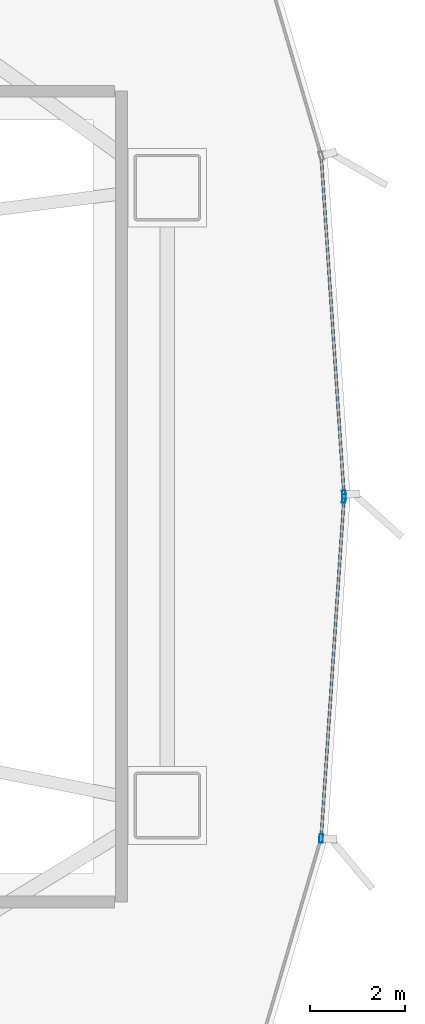
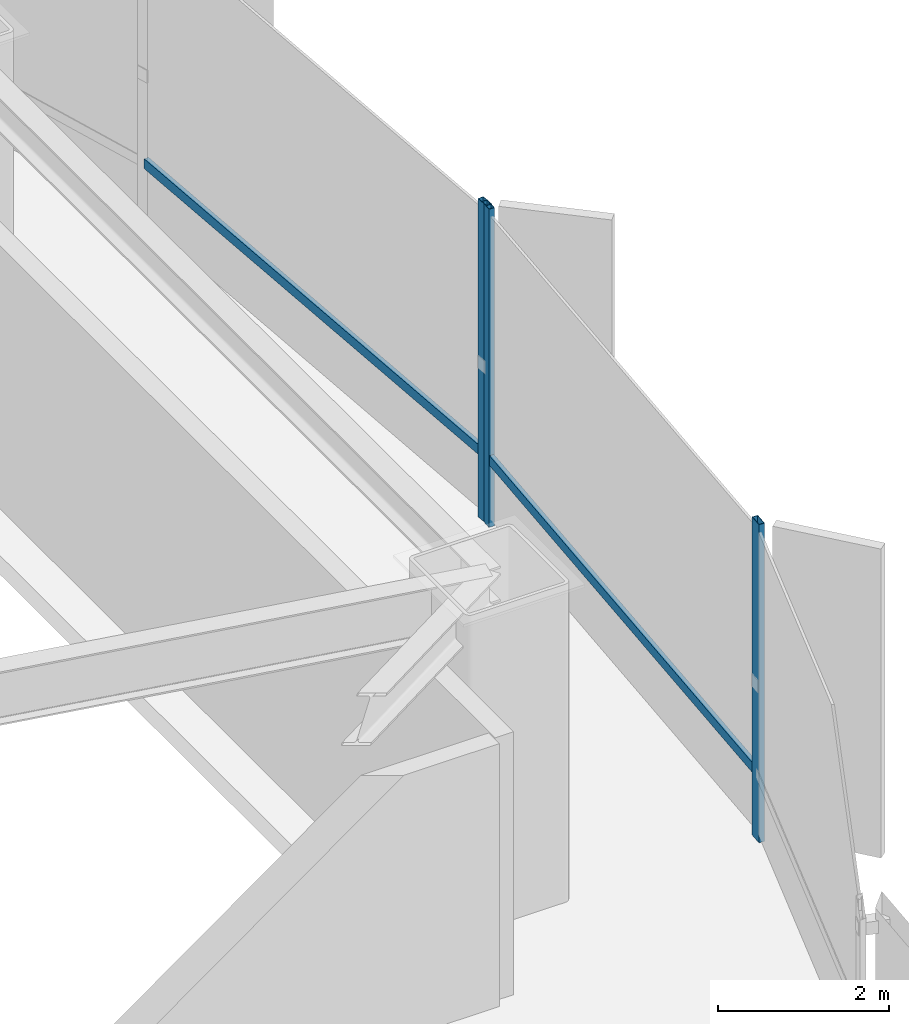
# One storey, part 19 of 34: 5 members, 2 elements without a shape of their own.
"""IFC4 building model written with IfcOpenShell, lengths in metres."""

from ifc_helpers import new_model, si_unit, direction, frame, origin, origin_2d, place, context, subcontext, project, spatial, hollow_rectangle, extrude, source, transform, mapped, material, layer, layer_set, material_profile, profile_set, type_object, element, aggregate, save


model = new_model("IFC4")

# Units and contexts
model_context = context("Model", 3, precision=1e-05, world=origin(), true_north=direction((0.0, 1.0)))
body_context = subcontext(model_context, "Body", "Model", "MODEL_VIEW")
ifc_project = project(units=[si_unit("LENGTHUNIT", "METRE"), si_unit("AREAUNIT", "SQUARE_METRE"), si_unit("VOLUMEUNIT", "CUBIC_METRE"), si_unit("PLANEANGLEUNIT", "RADIAN"), si_unit("MASSUNIT", "GRAM", prefix="KILO"), si_unit("THERMODYNAMICTEMPERATUREUNIT", "KELVIN")], contexts=[model_context])

# Site, building, storey
site_placement = place(None, origin())
site = spatial("IfcSite", under=ifc_project, at=site_placement, CompositionType="ELEMENT")
building_placement = place(site_placement, origin())
building = spatial("IfcBuilding", under=site, at=building_placement, Name="Kethvar Cultural Tower", CompositionType="ELEMENT")
storey_placement = place(building_placement, frame((0.0, 0.0, 14.800048828125)))
storey = spatial("IfcBuildingStorey", under=building, at=storey_placement, Name="L03", CompositionType="ELEMENT", Elevation=14.800048828125)

# Curtain wall, member
ifc_material = material(Name="Aluminium 6063-T6", Category="aluminium")
ifc_layer = layer(ifc_material, 0.179931640625, Name="Aluminium 6063-T6", Category="aluminium")
ifc_layer_set = layer_set([ifc_layer], Name="Aluminium 6063-T6 (180 mm)")
curtain_wall_type = type_object("IfcCurtainWallType", Name="CW-SYS-01-POD", PredefinedType="NOTDEFINED", material=ifc_layer_set)
curtain_wall_1_placement = place(storey_placement, origin())
curtain_wall_1 = element("IfcCurtainWall", 1, at=curtain_wall_1_placement, inside=storey, type_object=curtain_wall_type, Name="L03 Curtain Wall Run 01", PredefinedType="NOTDEFINED")
ifc_material_profile_1 = material_profile(ifc_material, hollow_rectangle(XDim=0.06005859375, YDim=0.139892578125, WallThickness=0.0048828125, at=origin_2d()), Name="Aluminium 6063-T6 — RHS140x60x5")
ifc_profile_set_1 = profile_set([ifc_material_profile_1], Name="Aluminium 6063-T6 — RHS140x60x5")
member_type_1 = type_object("IfcMemberType", Name="CW-SYS-01-POD-TRN", PredefinedType="USERDEFINED", material=ifc_profile_set_1)
shared_shape_1 = source(origin(), body_context, "Body", "SweptSolid", [
    extrude(hollow_rectangle(XDim=0.06005859375, YDim=0.139892578125, WallThickness=0.0048828125, at=origin_2d()), origin(), (0.0, 0.0, 1.0), 7.086669921875),
])
member_1_placement = place(storey_placement, frame((83.066650390625, 27.84521484375, 0.949951171875), z_axis=(-0.067040329347, 0.99775026647, 0.0), x_axis=(-0.99775026647, -0.067040329347, 0.0)))
member_1 = element("IfcMember", 2, at=member_1_placement, type_object=member_type_1, Name="CW-L03-R01 Transom 1", ObjectType="TRANSOM", PredefinedType="USERDEFINED", context=body_context, shape_type="MappedRepresentation", body=[
    mapped(shared_shape_1, transform((0.0, 0.0, 0.0), scale=1.0)),
])

curtain_wall_2_placement = place(storey_placement, origin())
curtain_wall_2 = element("IfcCurtainWall", 3, at=curtain_wall_2_placement, inside=storey, type_object=curtain_wall_type, Name="L03 Curtain Wall Run 06", PredefinedType="NOTDEFINED")
member_2_placement = place(storey_placement, frame((82.591552734375, 20.68408203125, 0.949951171875), z_axis=(0.067040329347, 0.99775026647, 0.0), x_axis=(-0.99775026647, 0.067040329347, 0.0)))
member_2 = element("IfcMember", 4, at=member_2_placement, type_object=member_type_1, Name="CW-L03-R06 Transom 4", ObjectType="TRANSOM", PredefinedType="USERDEFINED", context=body_context, shape_type="MappedRepresentation", body=[
    mapped(shared_shape_1, transform((0.0, 0.0, 0.0), scale=1.0)),
])

# Member
ifc_material_profile_2 = material_profile(ifc_material, hollow_rectangle(XDim=0.074951171875, YDim=0.179931640625, WallThickness=0.006103515625, at=origin_2d()), Name="Aluminium 6063-T6 — RHS180x75x6")
ifc_profile_set_2 = profile_set([ifc_material_profile_2], Name="Aluminium 6063-T6 — RHS180x75x6")
member_type_2 = type_object("IfcMemberType", Name="CW-SYS-01-POD-MUL", PredefinedType="MULLION", material=ifc_profile_set_2)
shared_shape_2 = source(origin(), body_context, "Body", "SweptSolid", [
    extrude(hollow_rectangle(XDim=0.074951171875, YDim=0.179931640625, WallThickness=0.006103515625, at=origin_2d()), origin(), (0.0, 0.0, 1.0), 4.530029296875),
])
member_3_placement = place(storey_placement, frame((83.06689453125, 27.83984375, 0.0), z_axis=(0.0, 0.0, 1.0), x_axis=(-0.997750279374, -0.067040137302, 0.0)))
member_3 = element("IfcMember", 5, at=member_3_placement, type_object=member_type_2, Name="CW-L03-R01 Mullion 1", PredefinedType="MULLION", context=body_context, shape_type="MappedRepresentation", body=[
    mapped(shared_shape_2, transform((0.0, 0.0, 0.0), scale=1.0)),
])

aggregate(curtain_wall_1, [member_3, member_1])

member_4_placement = place(storey_placement, frame((82.587890625, 20.630126953125, 0.0), z_axis=(0.0, 0.0, 1.0), x_axis=(-0.997750279374, 0.067040137302, 0.0)))
member_4 = element("IfcMember", 6, at=member_4_placement, type_object=member_type_2, Name="CW-L03-R06 Mullion 4", PredefinedType="MULLION", context=body_context, shape_type="MappedRepresentation", body=[
    mapped(shared_shape_2, transform((0.0, 0.0, 0.0), scale=1.0)),
])

member_5_placement = place(storey_placement, frame((83.06689453125, 27.760009765625, 0.0), z_axis=(0.0, 0.0, 1.0), x_axis=(-0.997750279374, 0.067040137302, 0.0)))
member_5 = element("IfcMember", 7, at=member_5_placement, type_object=member_type_2, Name="CW-L03-R06 Mullion 5", PredefinedType="MULLION", context=body_context, shape_type="MappedRepresentation", body=[
    mapped(shared_shape_2, transform((0.0, 0.0, 0.0), scale=1.0)),
])

aggregate(curtain_wall_2, [member_4, member_5, member_2])

save(model, "model.ifc")
